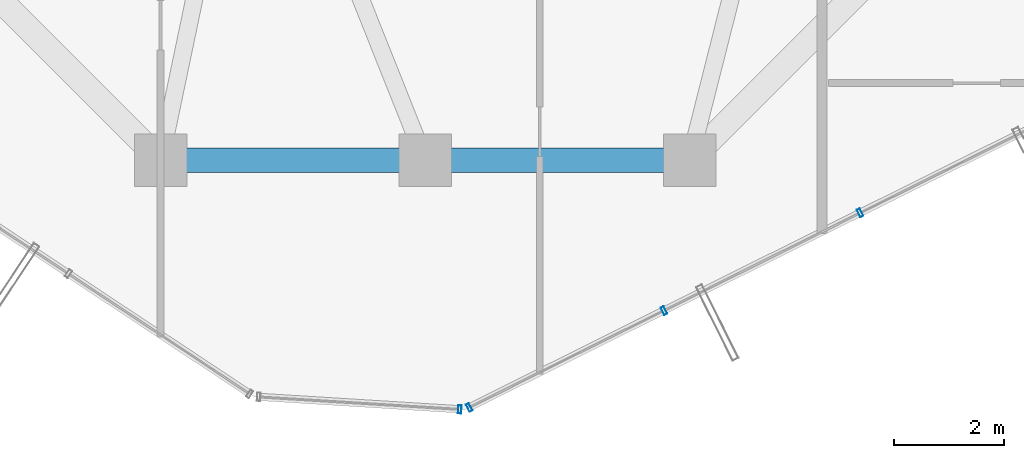
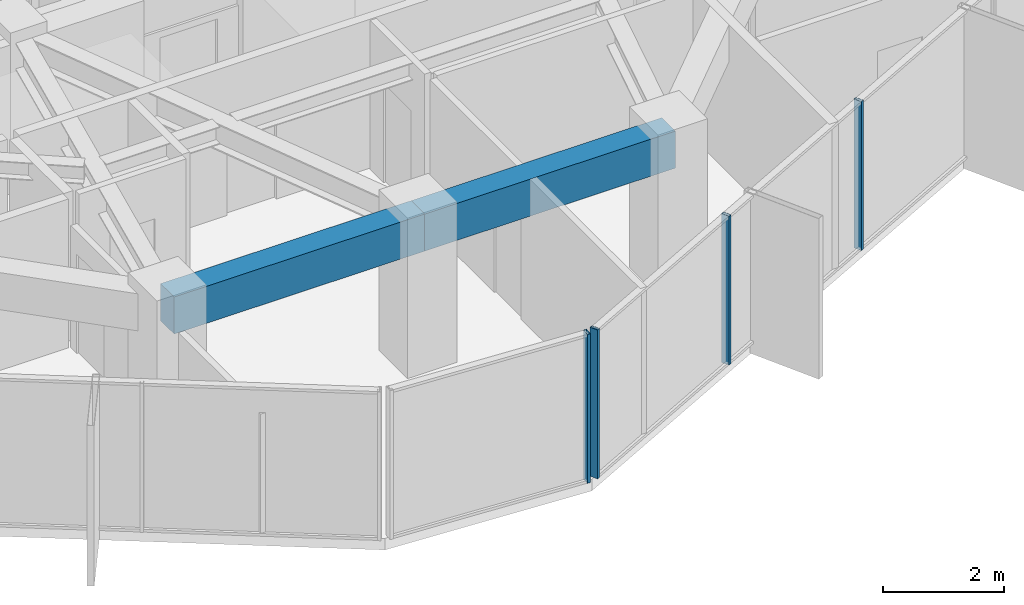
# One storey, part 6 of 29: 4 members, 2 beams, 2 elements without a shape of their own.
"""IFC4 building model written with IfcOpenShell, lengths in metres."""

from ifc_helpers import new_model, si_unit, direction, frame, origin, origin_2d, place, context, subcontext, project, spatial, rectangle, hollow_rectangle, extrude, source, transform, mapped, material, layer, layer_set, material_profile, profile_set, type_object, element, aggregate, save


model = new_model("IFC4")

# Units and contexts
model_context = context("Model", 3, precision=1e-05, world=origin(), true_north=direction((0.0, 1.0)))
body_context = subcontext(model_context, "Body", "Model", "MODEL_VIEW")
ifc_project = project(units=[si_unit("LENGTHUNIT", "METRE"), si_unit("AREAUNIT", "SQUARE_METRE"), si_unit("VOLUMEUNIT", "CUBIC_METRE"), si_unit("PLANEANGLEUNIT", "RADIAN"), si_unit("MASSUNIT", "GRAM", prefix="KILO")], contexts=[model_context])

# Site, building, storey
site_placement = place(None, origin())
site = spatial("IfcSite", under=ifc_project, at=site_placement, CompositionType="ELEMENT")
building_placement = place(site_placement, origin())
building = spatial("IfcBuilding", under=site, at=building_placement, Name="Veraguas Prism Commons", CompositionType="ELEMENT")
storey_placement = place(building_placement, frame((0.0, 0.0, 218.89990234375)))
storey = spatial("IfcBuildingStorey", under=building, at=storey_placement, Name="L62", CompositionType="ELEMENT", Elevation=218.89990234375)

# Beams
ifc_material_1 = material(Name="Concrete C50/60", Category="concrete")
ifc_material_profile_1 = material_profile(ifc_material_1, rectangle(XDim=0.449951171875, YDim=0.75, at=origin_2d()), Name="RC450X750")
ifc_profile_set_1 = profile_set([ifc_material_profile_1], Name="Concrete C50/60")
beam_type = type_object("IfcBeamType", Name="Perimeter Spandrel Upper RC 450x750", PredefinedType="SPANDREL", material=ifc_profile_set_1)
for number, where, z_axis, x_axis, name in (
    (1, (19.199951171875, 9.10009765625, 2.64013671875), (1.0, 0.0, 0.0), (0.0, 1.0, 0.0), "Perimeter Spandrel Beam L62-SP10"),
    (2, (24.0, 9.10009765625, 2.64013671875), (1.0, 0.0, 0.0), (0.0, 1.0, 0.0), "Perimeter Spandrel Beam L62-SP11"),
):
    element("IfcBeam", number, at=place(storey_placement, frame(where, z_axis=z_axis, x_axis=x_axis)), inside=storey, type_object=beam_type, Name=name, PredefinedType="SPANDREL", context=body_context, shape_type="SweptSolid", body=[
        extrude(rectangle(XDim=0.449951171875, YDim=0.75, at=origin_2d()), origin(), (0.0, 0.0, 1.0), 4.800048828125),
    ])

# Curtain wall, members
ifc_material_2 = material(Name="Anodised aluminium EN AW-6063 T6", Category="aluminium")
ifc_layer = layer(ifc_material_2, 0.14990234375, Name="Unitised Flush Curtain Wall Zone 3", Category="aluminium")
ifc_layer_set = layer_set([ifc_layer], Name="Anodised aluminium EN AW-6063 T6")
curtain_wall_type = type_object("IfcCurtainWallType", Name="Unitised Flush Curtain Wall Zone 3", PredefinedType="NOTDEFINED", material=ifc_layer_set)
curtain_wall_1_placement = place(storey_placement, origin())
curtain_wall_1 = element("IfcCurtainWall", 3, at=curtain_wall_1_placement, inside=storey, type_object=curtain_wall_type, Name="Tower Facade Curtain Wall L62-F5", PredefinedType="NOTDEFINED")
ifc_material_profile_2 = material_profile(ifc_material_2, hollow_rectangle(XDim=0.06005859375, YDim=0.14990234375, WallThickness=0.0029296875, at=origin_2d()), Name="AL60X150X3")
ifc_profile_set_2 = profile_set([ifc_material_profile_2], Name="Anodised aluminium EN AW-6063 T6")
member_type = type_object("IfcMemberType", Name="Curtain Wall Mullion Upper AL 60x150x3", PredefinedType="MULLION", material=ifc_profile_set_2)
shared_shape = source(origin(), body_context, "Body", "SweptSolid", [
    extrude(hollow_rectangle(XDim=0.06005859375, YDim=0.14990234375, WallThickness=0.0029296875, at=origin_2d()), origin(), (0.0, 0.0, 1.0), 3.01513671875),
])
member_1_placement = place(storey_placement, frame((24.7998046875, 4.615478515625, 0.0), z_axis=(0.0, 0.0, 1.0), x_axis=(0.895243315298, 0.445577609866, 0.0)))
member_1 = element("IfcMember", 4, at=member_1_placement, type_object=member_type, Name="CW-Z3 Mullion 1", PredefinedType="MULLION", context=body_context, shape_type="MappedRepresentation", body=[
    mapped(shared_shape, transform((0.0, 0.0, 0.0), scale=1.0)),
])
member_2_placement = place(storey_placement, frame((28.33203125, 6.37353515625, 0.0), z_axis=(0.0, 0.0, 1.0), x_axis=(0.895243315298, 0.445577609866, 0.0)))
member_2 = element("IfcMember", 5, at=member_2_placement, type_object=member_type, Name="CW-Z3 Mullion 2", PredefinedType="MULLION", context=body_context, shape_type="MappedRepresentation", body=[
    mapped(shared_shape, transform((0.0, 0.0, 0.0), scale=1.0)),
])
member_3_placement = place(storey_placement, frame((31.89111328125, 8.14501953125, 0.0), z_axis=(0.0, 0.0, 1.0), x_axis=(0.895243315298, 0.445577609866, 0.0)))
member_3 = element("IfcMember", 6, at=member_3_placement, type_object=member_type, Name="CW-Z3 Mullion 3", PredefinedType="MULLION", context=body_context, shape_type="MappedRepresentation", body=[
    mapped(shared_shape, transform((0.0, 0.0, 0.0), scale=1.0)),
])
aggregate(curtain_wall_1, [member_1, member_2, member_3])

# Curtain wall, member
curtain_wall_2_placement = place(storey_placement, origin())
curtain_wall_2 = element("IfcCurtainWall", 7, at=curtain_wall_2_placement, inside=storey, type_object=curtain_wall_type, Name="Chamfer Curtain Wall L62-C5", PredefinedType="NOTDEFINED")
member_4_placement = place(storey_placement, frame((24.62939453125, 4.5810546875, 0.0), z_axis=(0.0, 0.0, 1.0), x_axis=(0.99809107304, -0.061759290132, 0.0)))
member_4 = element("IfcMember", 8, at=member_4_placement, type_object=member_type, Name="CW-Z3 Mullion 2", PredefinedType="MULLION", context=body_context, shape_type="MappedRepresentation", body=[
    mapped(shared_shape, transform((0.0, 0.0, 0.0), scale=1.0)),
])
aggregate(curtain_wall_2, [member_4])

save(model, "model.ifc")
